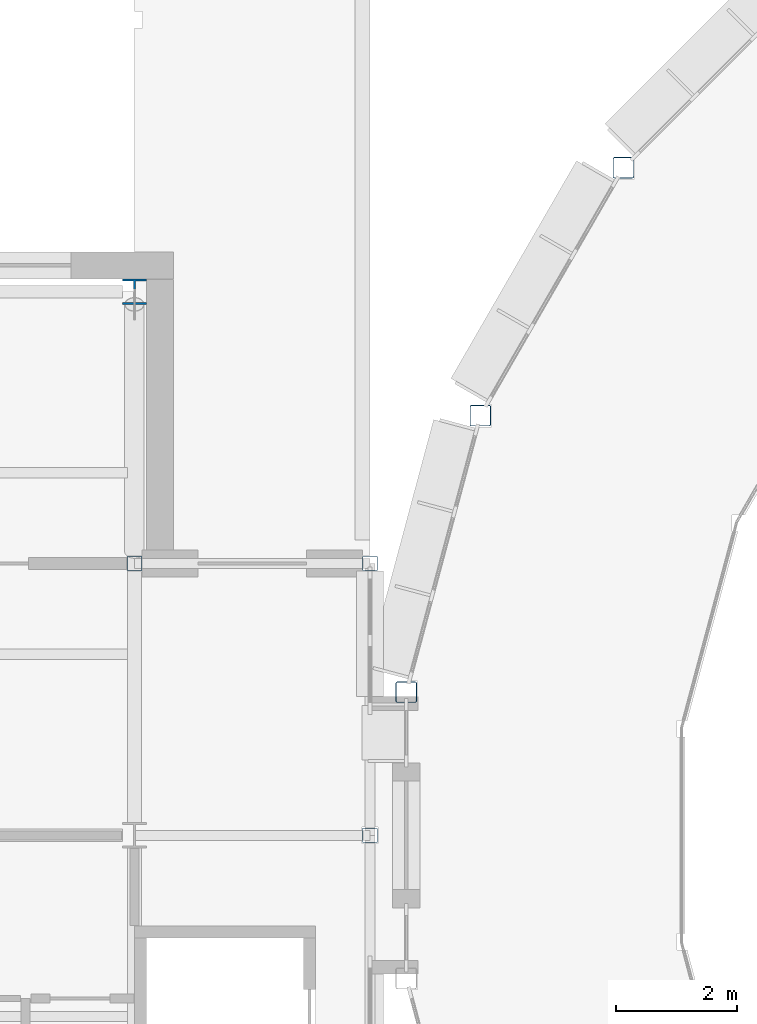
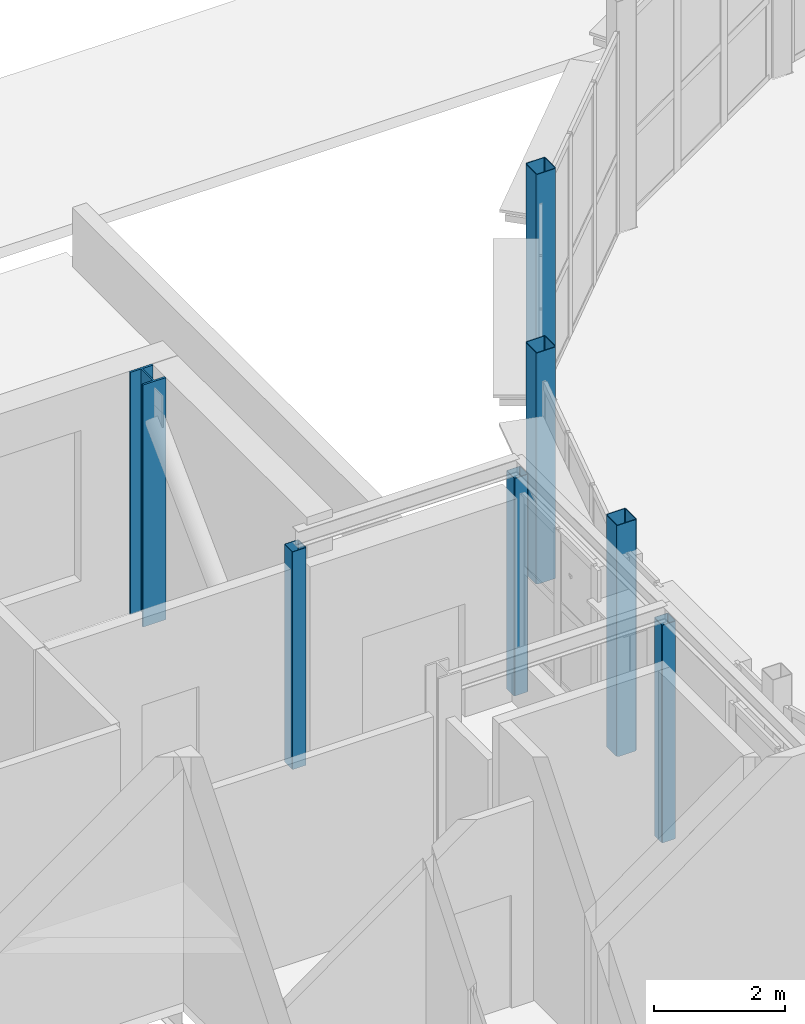
# One storey, part 3 of 74: 7 columns.
"""IFC4 building model written with IfcOpenShell, lengths in metres."""

from ifc_helpers import new_model, si_unit, direction, frame, origin, origin_2d, place, context, subcontext, project, spatial, hollow_rectangle, i_section, extrude, material, material_profile, profile_set, type_object, element, save


model = new_model("IFC4")

# Units and contexts
model_context = context("Model", 3, precision=1e-05, world=origin(), true_north=direction((0.0, 1.0)))
body_context = subcontext(model_context, "Body", "Model", "MODEL_VIEW")
ifc_project = project(units=[si_unit("LENGTHUNIT", "METRE"), si_unit("AREAUNIT", "SQUARE_METRE"), si_unit("VOLUMEUNIT", "CUBIC_METRE"), si_unit("PLANEANGLEUNIT", "RADIAN"), si_unit("MASSUNIT", "GRAM", prefix="KILO")], contexts=[model_context])

# Site, building, storey
site_placement = place(None, origin())
site = spatial("IfcSite", under=ifc_project, at=site_placement, CompositionType="ELEMENT")
building_placement = place(site_placement, origin())
building = spatial("IfcBuilding", under=site, at=building_placement, Name="Hortulan Conservatory and Botanical Research Centre", CompositionType="ELEMENT")
storey_placement = place(building_placement, frame((0.0, 0.0, 6.0)))
storey = spatial("IfcBuildingStorey", under=building, at=storey_placement, Name="L01", CompositionType="ELEMENT", Elevation=6.0)

# Columns
ifc_material_1 = material(Name="Steel Grade C450L0 (450 MPa, AS/NZS 1163)", Category="steel")
ifc_material_profile_1 = material_profile(ifc_material_1, hollow_rectangle(XDim=0.35009765625, YDim=0.35009765625, WallThickness=0.012451171875, InnerFilletRadius=0.018798828125, OuterFilletRadius=0.03125, at=origin_2d()), Name="350x350x12.5SHS")
ifc_profile_set_1 = profile_set([ifc_material_profile_1], Name="Steel Grade C450L0 (450 MPa, AS/NZS 1163)")
column_type_1 = type_object("IfcColumnType", Name="Dome Drum Column 350x350x12.5 SHS", PredefinedType="COLUMN", material=ifc_profile_set_1)
for number, where, z_axis, x_axis, name in (
    (1, (39.596435546875, 29.05224609375, 0.0), (0.0, 0.0, 1.0), (1.0, 0.0, 0.0), "Dome drum column 10 L01"),
    (2, (37.226806640625, 24.94775390625, 0.0), (0.0, 0.0, 1.0), (1.0, 0.0, 0.0), "Dome drum column 11 L01"),
    (3, (36.0, 20.36962890625, 0.0), (0.0, 0.0, 1.0), (1.0, 0.0, 0.0), "Dome drum column 12 L01"),
):
    element("IfcColumn", number, at=place(storey_placement, frame(where, z_axis=z_axis, x_axis=x_axis)), inside=storey, type_object=column_type_1, Name=name, PredefinedType="COLUMN", context=body_context, shape_type="SweptSolid", body=[
        extrude(hollow_rectangle(XDim=0.35009765625, YDim=0.35009765625, WallThickness=0.012451171875, InnerFilletRadius=0.018798828125, OuterFilletRadius=0.03125, at=origin_2d()), origin(), (0.0, 0.0, 1.0), 4.300048828125),
    ])
ifc_material_profile_2 = material_profile(ifc_material_1, hollow_rectangle(XDim=0.25, YDim=0.25, WallThickness=0.009033203125, InnerFilletRadius=0.013427734375, OuterFilletRadius=0.0224609375, at=origin_2d()), Name="250x250x9SHS")
ifc_profile_set_2 = profile_set([ifc_material_profile_2], Name="Steel Grade C450L0 (450 MPa, AS/NZS 1163)")
column_type_2 = type_object("IfcColumnType", Name="Head Link Column 250x250x9 SHS", PredefinedType="COLUMN", material=ifc_profile_set_2)
for number, where, z_axis, x_axis, name in (
    (4, (35.39990234375, 18.0, 0.0), (0.0, 0.0, 1.0), (1.0, 0.0, 0.0), "Head link column C-35.4-18.0 L01"),
    (5, (31.5, 22.5, 0.0), (0.0, 0.0, 1.0), (1.0, 0.0, 0.0), "Head link column C-31.5-22.5 L01"),
    (6, (35.39990234375, 22.5, 0.0), (0.0, 0.0, 1.0), (1.0, 0.0, 0.0), "Head link column C-35.4-22.5 L01"),
):
    element("IfcColumn", number, at=place(storey_placement, frame(where, z_axis=z_axis, x_axis=x_axis)), inside=storey, type_object=column_type_2, Name=name, PredefinedType="COLUMN", context=body_context, shape_type="SweptSolid", body=[
        extrude(hollow_rectangle(XDim=0.25, YDim=0.25, WallThickness=0.009033203125, InnerFilletRadius=0.013427734375, OuterFilletRadius=0.0224609375, at=origin_2d()), origin(), (0.0, 0.0, 1.0), 4.0458984375),
    ])
ifc_material_2 = material(Name="Steel Grade 300 (AS/NZS 3679.2, plate AS/NZS 3678, 280 MPa minimum yield)", Category="steel")
ifc_material_profile_3 = material_profile(ifc_material_2, i_section(OverallWidth=0.39990234375, OverallDepth=0.422119140625, WebThickness=0.028076171875, FlangeThickness=0.035888671875, at=origin_2d()), Name="400WC303")
ifc_profile_set_3 = profile_set([ifc_material_profile_3], Name="Steel Grade 300 (AS/NZS 3679.2, plate AS/NZS 3678, 280 MPa minimum yield)")
column_type_3 = type_object("IfcColumnType", Name="Tower Column 400WC303", PredefinedType="COLUMN", material=ifc_profile_set_3)
column_placement = place(storey_placement, frame((31.5, 27.0, 0.0), z_axis=(0.0, 0.0, 1.0), x_axis=(1.0, 0.0, 0.0)))
element("IfcColumn", 7, at=column_placement, inside=storey, type_object=column_type_3, Name="400WC303 column", PredefinedType="COLUMN", context=body_context, shape_type="SweptSolid", body=[
    extrude(i_section(OverallWidth=0.39990234375, OverallDepth=0.422119140625, WebThickness=0.028076171875, FlangeThickness=0.035888671875, at=origin_2d()), origin(), (0.0, 0.0, 1.0), 4.5),
])

save(model, "model.ifc")
